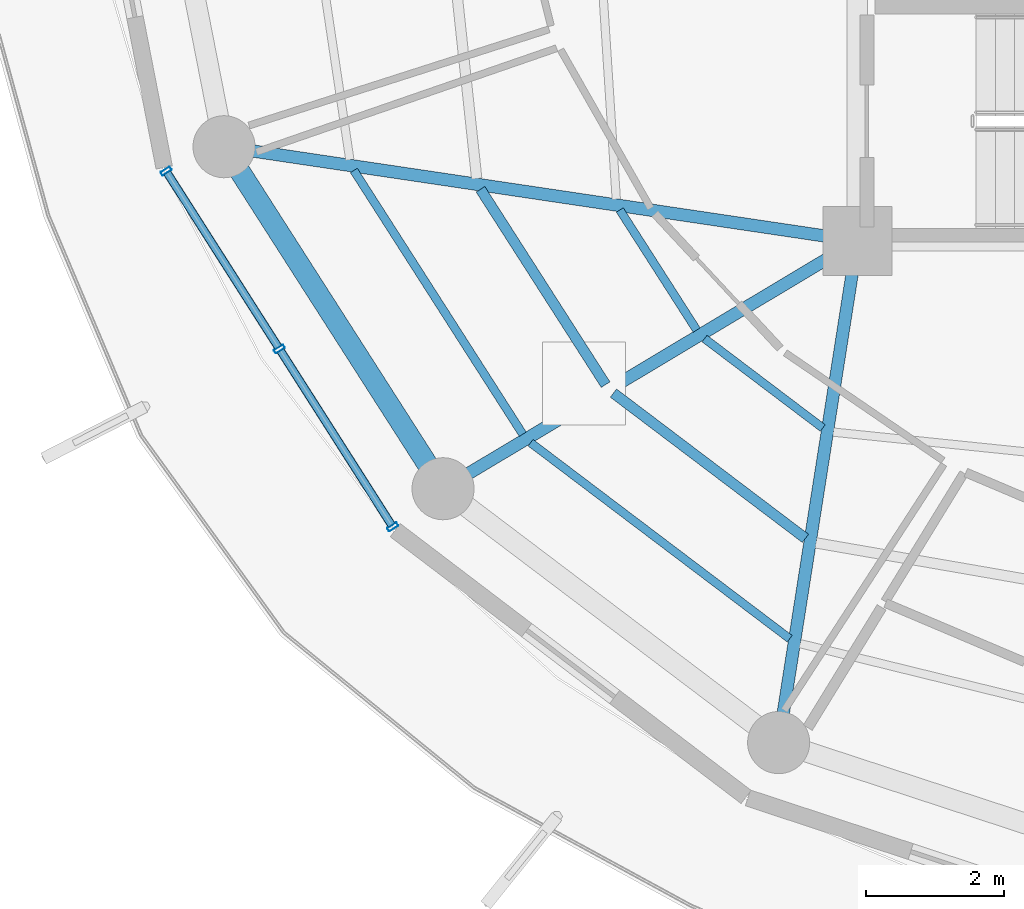
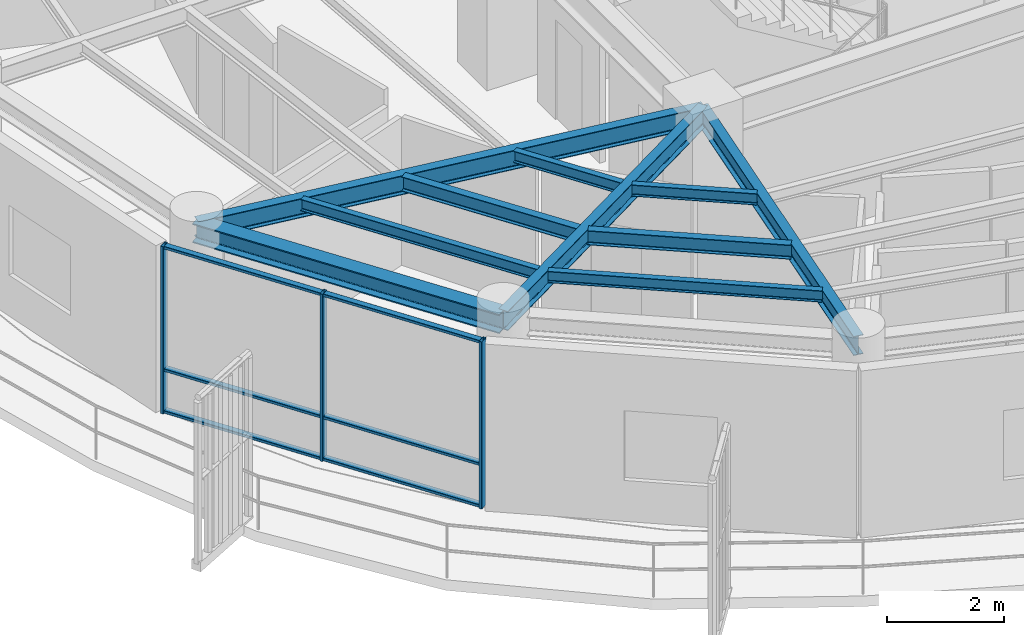
# One storey, part 2 of 23: 10 beams, 9 members, 1 element without a shape of its own.
"""IFC4 building model written with IfcOpenShell, lengths in metres."""

from ifc_helpers import new_model, si_unit, direction, frame, origin, origin_2d, place, context, subcontext, project, spatial, hollow_rectangle, i_section, extrude, material, layer, layer_set, material_profile, profile_set, type_object, element, aggregate, save


model = new_model("IFC4")

# Units and contexts
model_context = context("Model", 3, precision=1e-05, world=origin(), true_north=direction((0.0, 1.0)))
body_context = subcontext(model_context, "Body", "Model", "MODEL_VIEW")
ifc_project = project(units=[si_unit("LENGTHUNIT", "METRE"), si_unit("AREAUNIT", "SQUARE_METRE"), si_unit("VOLUMEUNIT", "CUBIC_METRE"), si_unit("PLANEANGLEUNIT", "RADIAN"), si_unit("MASSUNIT", "GRAM", prefix="KILO")], contexts=[model_context])

# Site, building, storey
site_placement = place(None, origin())
site = spatial("IfcSite", under=ifc_project, at=site_placement, CompositionType="ELEMENT")
building_placement = place(site_placement, origin())
building = spatial("IfcBuilding", under=site, at=building_placement, Name="Kelanora Arch Commons", CompositionType="ELEMENT")
storey_placement = place(building_placement, frame((0.0, 0.0, 256.199951171875)))
storey = spatial("IfcBuildingStorey", under=building, at=storey_placement, Name="L65", CompositionType="ELEMENT", Elevation=256.199951171875)

# Beams
ifc_material_1 = material(Name="Steel S355", Category="steel")
ifc_material_profile_1 = material_profile(ifc_material_1, i_section(OverallWidth=0.14990234375, OverallDepth=0.300048828125, WebThickness=0.007080078125, FlangeThickness=0.0107421875, FilletRadius=0.014892578125, at=origin_2d()), Name="IPE300")
ifc_profile_set_1 = profile_set([ifc_material_profile_1], Name="Steel S355")
beam_type_1 = type_object("IfcBeamType", Name="BM-JST-01", PredefinedType="JOIST", material=ifc_profile_set_1)
beam_1_placement = place(storey_placement, frame((60.539306640625, 51.74658203125, 3.340087890625), z_axis=(0.539321586177, -0.842099891155, 0.0), x_axis=(0.842099891155, 0.539321586177, 0.0)))
element("IfcBeam", 1, at=beam_1_placement, inside=storey, type_object=beam_type_1, Name="Secondary Chord Joist BJB-20 L65", PredefinedType="JOIST", context=body_context, shape_type="SweptSolid", body=[
    extrude(i_section(OverallWidth=0.14990234375, OverallDepth=0.300048828125, WebThickness=0.007080078125, FlangeThickness=0.0107421875, FilletRadius=0.014892578125, at=origin_2d()), origin(), (0.0, 0.0, 1.0), 3.361572265625),
])
beam_2_placement = place(storey_placement, frame((62.4658203125, 48.79296875, 3.340087890625), z_axis=(0.797499198801, -0.603320004568, 0.0), x_axis=(0.603320004568, 0.797499198801, 0.0)))
element("IfcBeam", 2, at=beam_2_placement, inside=storey, type_object=beam_type_1, Name="Secondary Chord Joist BJB-22 L65", PredefinedType="JOIST", context=body_context, shape_type="SweptSolid", body=[
    extrude(i_section(OverallWidth=0.14990234375, OverallDepth=0.300048828125, WebThickness=0.007080078125, FlangeThickness=0.0107421875, FilletRadius=0.014892578125, at=origin_2d()), origin(), (0.0, 0.0, 1.0), 3.489013671875),
])
ifc_material_profile_2 = material_profile(ifc_material_1, i_section(OverallWidth=0.1201171875, OverallDepth=0.239990234375, WebThickness=0.006103515625, FlangeThickness=0.009765625, FilletRadius=0.014892578125, at=origin_2d()), Name="IPE240")
ifc_profile_set_2 = profile_set([ifc_material_profile_2], Name="Steel S355")
beam_type_2 = type_object("IfcBeamType", Name="BM-JST-02", PredefinedType="JOIST", material=ifc_profile_set_2)
beam_3_placement = place(storey_placement, frame((62.558349609375, 51.446533203125, 3.3701171875), z_axis=(0.539311810315, -0.842106152011, 0.0), x_axis=(0.842106152011, 0.539311810315, 0.0)))
element("IfcBeam", 3, at=beam_3_placement, inside=storey, type_object=beam_type_2, Name="Secondary Chord Joist BJA-20 L65", PredefinedType="JOIST", context=body_context, shape_type="SweptSolid", body=[
    extrude(i_section(OverallWidth=0.1201171875, OverallDepth=0.239990234375, WebThickness=0.006103515625, FlangeThickness=0.009765625, FilletRadius=0.014892578125, at=origin_2d()), origin(), (0.0, 0.0, 1.0), 2.06640625),
])
beam_4_placement = place(storey_placement, frame((58.703857421875, 52.019287109375, 3.3701171875), z_axis=(0.539288735289, -0.842120929552, 0.0), x_axis=(0.842120929552, 0.539288735289, 0.0)))
element("IfcBeam", 4, at=beam_4_placement, inside=storey, type_object=beam_type_2, Name="Secondary Chord Joist BJC-20 L65", PredefinedType="JOIST", context=body_context, shape_type="SweptSolid", body=[
    extrude(i_section(OverallWidth=0.1201171875, OverallDepth=0.239990234375, WebThickness=0.006103515625, FlangeThickness=0.009765625, FilletRadius=0.014892578125, at=origin_2d()), origin(), (0.0, 0.0, 1.0), 4.538818359375),
])
beam_5_placement = place(storey_placement, frame((63.78662109375, 49.583251953125, 3.3701171875), z_axis=(0.797509883882, -0.603305880222, 0.0), x_axis=(0.603305880222, 0.797509883882, 0.0)))
element("IfcBeam", 5, at=beam_5_placement, inside=storey, type_object=beam_type_2, Name="Secondary Chord Joist BJA-22 L65", PredefinedType="JOIST", context=body_context, shape_type="SweptSolid", body=[
    extrude(i_section(OverallWidth=0.1201171875, OverallDepth=0.239990234375, WebThickness=0.006103515625, FlangeThickness=0.009765625, FilletRadius=0.014892578125, at=origin_2d()), origin(), (0.0, 0.0, 1.0), 2.147216796875),
])
beam_6_placement = place(storey_placement, frame((61.26513671875, 48.07421875, 3.3701171875), z_axis=(0.79752302984, -0.60328850219, 0.0), x_axis=(0.60328850219, 0.79752302984, 0.0)))
element("IfcBeam", 6, at=beam_6_placement, inside=storey, type_object=beam_type_2, Name="Secondary Chord Joist BJC-22 L65", PredefinedType="JOIST", context=body_context, shape_type="SweptSolid", body=[
    extrude(i_section(OverallWidth=0.1201171875, OverallDepth=0.239990234375, WebThickness=0.006103515625, FlangeThickness=0.009765625, FilletRadius=0.014892578125, at=origin_2d()), origin(), (0.0, 0.0, 1.0), 4.70849609375),
])
ifc_material_profile_3 = material_profile(ifc_material_1, i_section(OverallWidth=0.179931640625, OverallDepth=0.39990234375, WebThickness=0.008544921875, FlangeThickness=0.013427734375, FilletRadius=0.02099609375, at=origin_2d()), Name="IPE400")
ifc_profile_set_3 = profile_set([ifc_material_profile_3], Name="Steel S355")
beam_type_3 = type_object("IfcBeamType", Name="BM-RAD-Z5", PredefinedType="BEAM", material=ifc_profile_set_3)
beam_7_placement = place(storey_placement, frame((66.0, 51.0, 3.2900390625), z_axis=(-0.989142485564, 0.146959665395, 0.0), x_axis=(-0.146959665395, -0.989142485564, 0.0)))
element("IfcBeam", 7, at=beam_7_placement, inside=storey, type_object=beam_type_3, Name="Radial Floor Girder BR-20 L65", PredefinedType="BEAM", context=body_context, shape_type="SweptSolid", body=[
    extrude(i_section(OverallWidth=0.179931640625, OverallDepth=0.39990234375, WebThickness=0.008544921875, FlangeThickness=0.013427734375, FilletRadius=0.02099609375, at=origin_2d()), origin(), (0.0, 0.0, 1.0), 9.2783203125),
])
beam_8_placement = place(storey_placement, frame((66.0, 51.0, 3.2900390625), z_axis=(-0.858062005744, -0.513546097541, 0.0), x_axis=(0.513546097541, -0.858062005744, 0.0)))
element("IfcBeam", 8, at=beam_8_placement, inside=storey, type_object=beam_type_3, Name="Radial Floor Girder BR-22 L65", PredefinedType="BEAM", context=body_context, shape_type="SweptSolid", body=[
    extrude(i_section(OverallWidth=0.179931640625, OverallDepth=0.39990234375, WebThickness=0.008544921875, FlangeThickness=0.013427734375, FilletRadius=0.02099609375, at=origin_2d()), origin(), (0.0, 0.0, 1.0), 6.99658203125),
])
beam_9_placement = place(storey_placement, frame((66.0, 51.0, 3.2900390625), z_axis=(-0.154855424129, -0.987937142544, 0.0), x_axis=(0.987937142544, -0.154855424129, 0.0)))
element("IfcBeam", 9, at=beam_9_placement, inside=storey, type_object=beam_type_3, Name="Radial Floor Girder BR-24 L65", PredefinedType="BEAM", context=body_context, shape_type="SweptSolid", body=[
    extrude(i_section(OverallWidth=0.179931640625, OverallDepth=0.39990234375, WebThickness=0.008544921875, FlangeThickness=0.013427734375, FilletRadius=0.02099609375, at=origin_2d()), origin(), (0.0, 0.0, 1.0), 7.361083984375),
])
ifc_material_profile_4 = material_profile(ifc_material_1, i_section(OverallWidth=0.300048828125, OverallDepth=0.39990234375, WebThickness=0.013427734375, FlangeThickness=0.02392578125, FilletRadius=0.027099609375, at=origin_2d()), Name="HEB400")
ifc_profile_set_4 = profile_set([ifc_material_profile_4], Name="Steel S355")
beam_type_4 = type_object("IfcBeamType", Name="BM-SPN-Z4", PredefinedType="SPANDREL", material=ifc_profile_set_4)
beam_10_placement = place(storey_placement, frame((56.822509765625, 52.363525390625, 3.2900390625), z_axis=(0.539280851353, -0.842125978322, 0.0), x_axis=(0.842125978322, 0.539280851353, 0.0)))
element("IfcBeam", 10, at=beam_10_placement, inside=storey, type_object=beam_type_4, Name="Perimeter Spandrel Beam BS-20 L65", PredefinedType="SPANDREL", context=body_context, shape_type="SweptSolid", body=[
    extrude(i_section(OverallWidth=0.300048828125, OverallDepth=0.39990234375, WebThickness=0.013427734375, FlangeThickness=0.02392578125, FilletRadius=0.027099609375, at=origin_2d()), origin(), (0.0, 0.0, 1.0), 5.8857421875),
])

# Curtain wall, members
ifc_material_2 = material(Name="Terracotta ceramic-fritted low-E glass and aluminium", Category="masonry")
ifc_layer = layer(ifc_material_2, 0.18994140625)
ifc_layer_set = layer_set([ifc_layer], Name="Terracotta ceramic-fritted low-E glass and aluminium")
curtain_wall_type = type_object("IfcCurtainWallType", Name="CW-SYS-03", PredefinedType="NOTDEFINED", material=ifc_layer_set)
curtain_wall_placement = place(storey_placement, origin())
curtain_wall = element("IfcCurtainWall", 11, at=curtain_wall_placement, inside=storey, type_object=curtain_wall_type, Name="Unitised Curtain Wall L65-B10", PredefinedType="NOTDEFINED")
ifc_material_3 = material(Name="Powder-coated aluminium terracotta", Category="masonry")
ifc_material_profile_5 = material_profile(ifc_material_3, hollow_rectangle(XDim=0.159912109375, YDim=0.06005859375, WallThickness=0.0048828125, InnerFilletRadius=0.0048828125, OuterFilletRadius=0.010009765625, at=origin_2d()), Name="CWM160x60")
ifc_profile_set_5 = profile_set([ifc_material_profile_5], Name="Powder-coated aluminium terracotta")
member_type_1 = type_object("IfcMemberType", Name="CWM-STD", PredefinedType="MULLION", material=ifc_profile_set_5)
member_1_placement = place(storey_placement, frame((55.982177734375, 52.0107421875, 0.0), z_axis=(0.0, 0.0, 1.0), x_axis=(0.843391314545, 0.537299814397, 0.0)))
member_1 = element("IfcMember", 12, at=member_1_placement, type_object=member_type_1, Name="CW-03 mullion 1", PredefinedType="MULLION", context=body_context, shape_type="SweptSolid", body=[
    extrude(hollow_rectangle(XDim=0.159912109375, YDim=0.06005859375, WallThickness=0.0048828125, InnerFilletRadius=0.0048828125, OuterFilletRadius=0.010009765625, at=origin_2d()), origin(), (0.0, 0.0, 1.0), 3.47509765625),
])
member_2_placement = place(storey_placement, frame((57.625, 49.43212890625, 0.0), z_axis=(0.0, 0.0, 1.0), x_axis=(0.843391314545, 0.537299814397, 0.0)))
member_2 = element("IfcMember", 13, at=member_2_placement, type_object=member_type_1, Name="CW-03 mullion 2", PredefinedType="MULLION", context=body_context, shape_type="SweptSolid", body=[
    extrude(hollow_rectangle(XDim=0.159912109375, YDim=0.06005859375, WallThickness=0.0048828125, InnerFilletRadius=0.0048828125, OuterFilletRadius=0.010009765625, at=origin_2d()), origin(), (0.0, 0.0, 1.0), 3.47509765625),
])
member_3_placement = place(storey_placement, frame((59.267578125, 46.853515625, 0.0), z_axis=(0.0, 0.0, 1.0), x_axis=(0.843391314545, 0.537299814397, 0.0)))
member_3 = element("IfcMember", 14, at=member_3_placement, type_object=member_type_1, Name="CW-03 mullion 3", PredefinedType="MULLION", context=body_context, shape_type="SweptSolid", body=[
    extrude(hollow_rectangle(XDim=0.159912109375, YDim=0.06005859375, WallThickness=0.0048828125, InnerFilletRadius=0.0048828125, OuterFilletRadius=0.010009765625, at=origin_2d()), origin(), (0.0, 0.0, 1.0), 3.47509765625),
])
ifc_material_profile_6 = material_profile(ifc_material_3, hollow_rectangle(XDim=0.1201171875, YDim=0.06005859375, WallThickness=0.0048828125, InnerFilletRadius=0.0048828125, OuterFilletRadius=0.010009765625, at=origin_2d()), Name="CWT120x60")
ifc_profile_set_6 = profile_set([ifc_material_profile_6], Name="Powder-coated aluminium terracotta")
member_type_2 = type_object("IfcMemberType", Name="CWT-STD", PredefinedType="USERDEFINED", material=ifc_profile_set_6)
member_4_placement = place(storey_placement, frame((55.998291015625, 51.985595703125, 0.030029296875), z_axis=(0.537307571338, -0.843386372775, 0.0), x_axis=(0.843386372775, 0.537307571338, 0.0)))
member_4 = element("IfcMember", 15, at=member_4_placement, type_object=member_type_2, Name="CW-03 transom 1.1", ObjectType="TRANSOM", PredefinedType="USERDEFINED", context=body_context, shape_type="SweptSolid", body=[
    extrude(hollow_rectangle(XDim=0.1201171875, YDim=0.06005859375, WallThickness=0.0048828125, InnerFilletRadius=0.0048828125, OuterFilletRadius=0.010009765625, at=origin_2d()), origin(), (0.0, 0.0, 1.0), 2.99755859375),
])
member_5_placement = place(storey_placement, frame((55.998291015625, 51.985595703125, 0.900146484375), z_axis=(0.537307571338, -0.843386372775, 0.0), x_axis=(0.843386372775, 0.537307571338, 0.0)))
member_5 = element("IfcMember", 16, at=member_5_placement, type_object=member_type_2, Name="CW-03 transom 1.2", ObjectType="TRANSOM", PredefinedType="USERDEFINED", context=body_context, shape_type="SweptSolid", body=[
    extrude(hollow_rectangle(XDim=0.1201171875, YDim=0.06005859375, WallThickness=0.0048828125, InnerFilletRadius=0.0048828125, OuterFilletRadius=0.010009765625, at=origin_2d()), origin(), (0.0, 0.0, 1.0), 2.99755859375),
])
member_6_placement = place(storey_placement, frame((55.998291015625, 51.985595703125, 3.445068359375), z_axis=(0.537307571338, -0.843386372775, 0.0), x_axis=(0.843386372775, 0.537307571338, 0.0)))
member_6 = element("IfcMember", 17, at=member_6_placement, type_object=member_type_2, Name="CW-03 transom 1.3", ObjectType="TRANSOM", PredefinedType="USERDEFINED", context=body_context, shape_type="SweptSolid", body=[
    extrude(hollow_rectangle(XDim=0.1201171875, YDim=0.06005859375, WallThickness=0.0048828125, InnerFilletRadius=0.0048828125, OuterFilletRadius=0.010009765625, at=origin_2d()), origin(), (0.0, 0.0, 1.0), 2.99755859375),
])
member_7_placement = place(storey_placement, frame((57.64111328125, 49.40673828125, 0.030029296875), z_axis=(0.537286543791, -0.84339976871, 0.0), x_axis=(0.84339976871, 0.537286543791, 0.0)))
member_7 = element("IfcMember", 18, at=member_7_placement, type_object=member_type_2, Name="CW-03 transom 2.1", ObjectType="TRANSOM", PredefinedType="USERDEFINED", context=body_context, shape_type="SweptSolid", body=[
    extrude(hollow_rectangle(XDim=0.1201171875, YDim=0.06005859375, WallThickness=0.0048828125, InnerFilletRadius=0.0048828125, OuterFilletRadius=0.010009765625, at=origin_2d()), origin(), (0.0, 0.0, 1.0), 2.997314453125),
])
member_8_placement = place(storey_placement, frame((57.64111328125, 49.40673828125, 0.900146484375), z_axis=(0.537286543791, -0.84339976871, 0.0), x_axis=(0.84339976871, 0.537286543791, 0.0)))
member_8 = element("IfcMember", 19, at=member_8_placement, type_object=member_type_2, Name="CW-03 transom 2.2", ObjectType="TRANSOM", PredefinedType="USERDEFINED", context=body_context, shape_type="SweptSolid", body=[
    extrude(hollow_rectangle(XDim=0.1201171875, YDim=0.06005859375, WallThickness=0.0048828125, InnerFilletRadius=0.0048828125, OuterFilletRadius=0.010009765625, at=origin_2d()), origin(), (0.0, 0.0, 1.0), 2.997314453125),
])
member_9_placement = place(storey_placement, frame((57.64111328125, 49.40673828125, 3.445068359375), z_axis=(0.537286543791, -0.84339976871, 0.0), x_axis=(0.84339976871, 0.537286543791, 0.0)))
member_9 = element("IfcMember", 20, at=member_9_placement, type_object=member_type_2, Name="CW-03 transom 2.3", ObjectType="TRANSOM", PredefinedType="USERDEFINED", context=body_context, shape_type="SweptSolid", body=[
    extrude(hollow_rectangle(XDim=0.1201171875, YDim=0.06005859375, WallThickness=0.0048828125, InnerFilletRadius=0.0048828125, OuterFilletRadius=0.010009765625, at=origin_2d()), origin(), (0.0, 0.0, 1.0), 2.997314453125),
])
aggregate(curtain_wall, [member_1, member_2, member_3, member_4, member_5, member_6, member_7, member_8, member_9])

save(model, "model.ifc")
